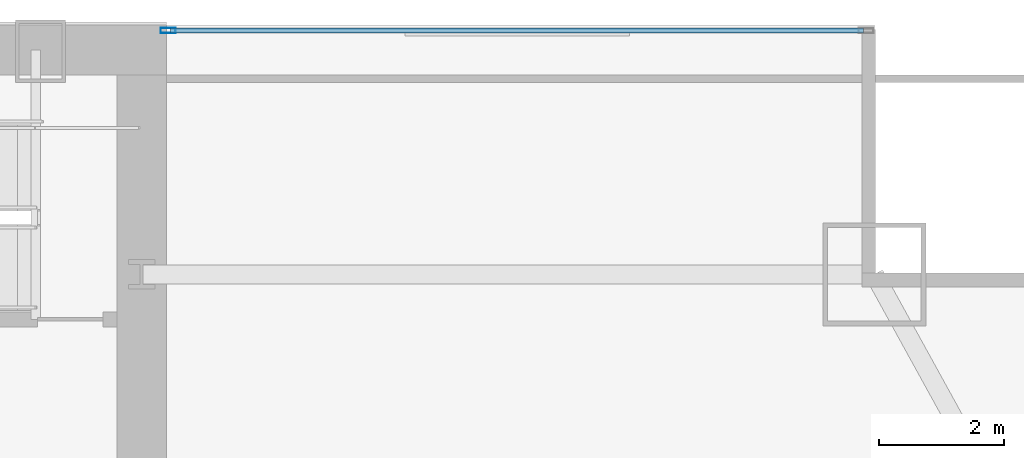
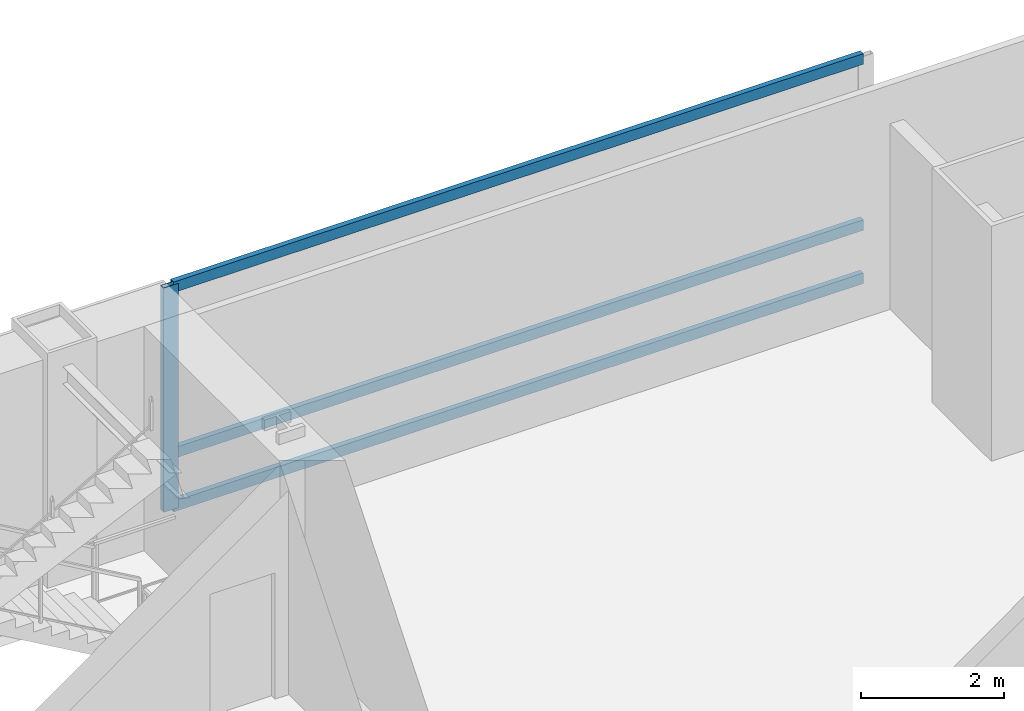
# One storey, part 20 of 35: 4 members, 1 element without a shape of its own.
"""IFC4 building model written with IfcOpenShell, lengths in metres."""

from ifc_helpers import new_model, si_unit, direction, frame, origin, origin_2d, place, context, subcontext, project, spatial, hollow_rectangle, extrude, material, material_profile, profile_set, type_object, element, aggregate, save


model = new_model("IFC4")

# Units and contexts
model_context = context("Model", 3, precision=1e-05, world=origin(), true_north=direction((0.0, 1.0)))
body_context = subcontext(model_context, "Body", "Model", "MODEL_VIEW")
ifc_project = project(units=[si_unit("LENGTHUNIT", "METRE"), si_unit("AREAUNIT", "SQUARE_METRE"), si_unit("VOLUMEUNIT", "CUBIC_METRE"), si_unit("PLANEANGLEUNIT", "RADIAN"), si_unit("MASSUNIT", "GRAM", prefix="KILO")], contexts=[model_context])

# Site, building, storey
site_placement = place(None, origin())
site = spatial("IfcSite", under=ifc_project, at=site_placement, CompositionType="ELEMENT")
building_placement = place(site_placement, origin())
building = spatial("IfcBuilding", under=site, at=building_placement, Name="Khoronbel Lancet Exchange", CompositionType="ELEMENT")
storey_placement = place(building_placement, frame((0.0, 0.0, 53.800048828125)))
storey = spatial("IfcBuildingStorey", under=building, at=storey_placement, Name="L12", CompositionType="ELEMENT", Elevation=53.800048828125)

# Curtain wall, members
ifc_material_1 = material(Name="Low-E Solar Control Insulating Glass", Category="glass")
curtain_wall_type = type_object("IfcCurtainWallType", Name="CW-1", PredefinedType="NOTDEFINED", material=ifc_material_1)
curtain_wall_placement = place(storey_placement, origin())
curtain_wall = element("IfcCurtainWall", 1, at=curtain_wall_placement, inside=storey, type_object=curtain_wall_type, Name="Unitised curtain wall CW-L12-NEFLK", PredefinedType="NOTDEFINED")
ifc_material_2 = material(Name="Bronze-Anodised Aluminium 6063-T6", Category="aluminium")
ifc_material_profile_1 = material_profile(ifc_material_2, hollow_rectangle(XDim=0.0849609375, YDim=0.239990234375, WallThickness=0.006103515625, at=origin_2d()), Name="ALU MULLION 85x240")
ifc_profile_set_1 = profile_set([ifc_material_profile_1], Name="Bronze-Anodised Aluminium 6063-T6")
member_type_1 = type_object("IfcMemberType", Name="MEM-CWM1", PredefinedType="MULLION", material=ifc_profile_set_1)
member_1_placement = place(storey_placement, frame((56.722412109375, 53.610107421875, 0.0), z_axis=(0.0, 0.0, 1.0), x_axis=(0.0, -1.0, 0.0)))
member_1 = element("IfcMember", 2, at=member_1_placement, type_object=member_type_1, Name="CW1 mullion 2", PredefinedType="MULLION", context=body_context, shape_type="SweptSolid", body=[
    extrude(hollow_rectangle(XDim=0.0849609375, YDim=0.239990234375, WallThickness=0.006103515625, at=origin_2d()), origin(), (0.0, 0.0, 1.0), 3.820068359375),
])
ifc_material_profile_2 = material_profile(ifc_material_2, hollow_rectangle(XDim=0.0849609375, YDim=0.179931640625, WallThickness=0.0048828125, at=origin_2d()), Name="ALU TRANSOM 85x180")
ifc_profile_set_2 = profile_set([ifc_material_profile_2], Name="Bronze-Anodised Aluminium 6063-T6")
member_type_2 = type_object("IfcMemberType", Name="MEM-CWT1", PredefinedType="USERDEFINED", material=ifc_profile_set_2)
member_2_placement = place(storey_placement, frame((67.875, 53.610107421875, 0.04248046875), z_axis=(-1.0, 0.0, 0.0), x_axis=(0.0, -1.0, 0.0)))
member_2 = element("IfcMember", 3, at=member_2_placement, type_object=member_type_2, Name="CW1 transom 1.1", ObjectType="TRANSOM", PredefinedType="USERDEFINED", context=body_context, shape_type="SweptSolid", body=[
    extrude(hollow_rectangle(XDim=0.0849609375, YDim=0.179931640625, WallThickness=0.0048828125, at=origin_2d()), origin(), (0.0, 0.0, 1.0), 11.110107421875),
])
member_3_placement = place(storey_placement, frame((67.875, 53.610107421875, 0.949951171875), z_axis=(-1.0, 0.0, 0.0), x_axis=(0.0, -1.0, 0.0)))
member_3 = element("IfcMember", 4, at=member_3_placement, type_object=member_type_2, Name="CW1 transom 1.2", ObjectType="TRANSOM", PredefinedType="USERDEFINED", context=body_context, shape_type="SweptSolid", body=[
    extrude(hollow_rectangle(XDim=0.0849609375, YDim=0.179931640625, WallThickness=0.0048828125, at=origin_2d()), origin(), (0.0, 0.0, 1.0), 11.110107421875),
])
member_4_placement = place(storey_placement, frame((67.875, 53.610107421875, 3.77734375), z_axis=(-1.0, 0.0, 0.0), x_axis=(0.0, -1.0, 0.0)))
member_4 = element("IfcMember", 5, at=member_4_placement, type_object=member_type_2, Name="CW1 transom 1.3", ObjectType="TRANSOM", PredefinedType="USERDEFINED", context=body_context, shape_type="SweptSolid", body=[
    extrude(hollow_rectangle(XDim=0.0849609375, YDim=0.179931640625, WallThickness=0.0048828125, at=origin_2d()), origin(), (0.0, 0.0, 1.0), 11.110107421875),
])
aggregate(curtain_wall, [member_1, member_2, member_3, member_4])

save(model, "model.ifc")
